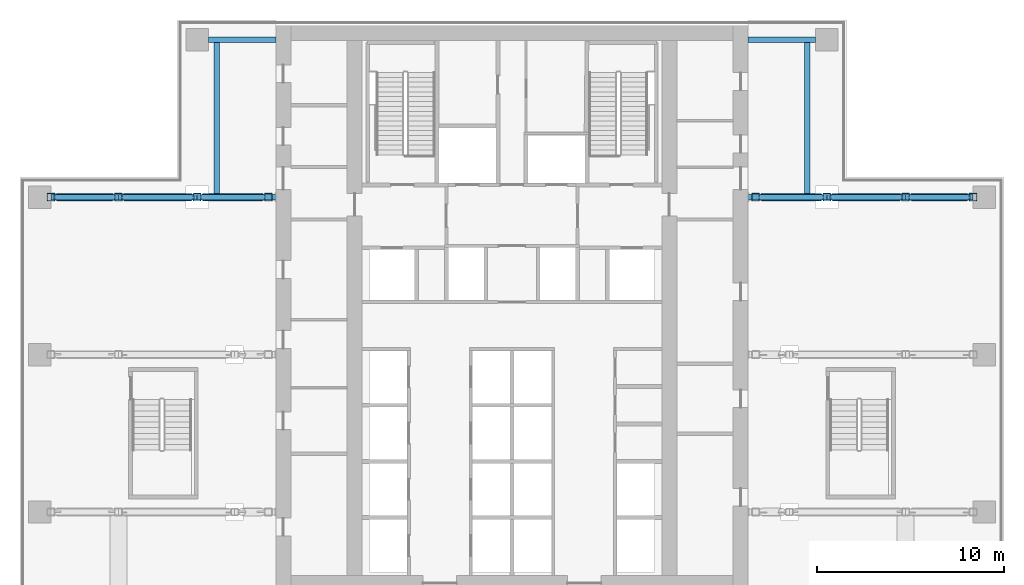
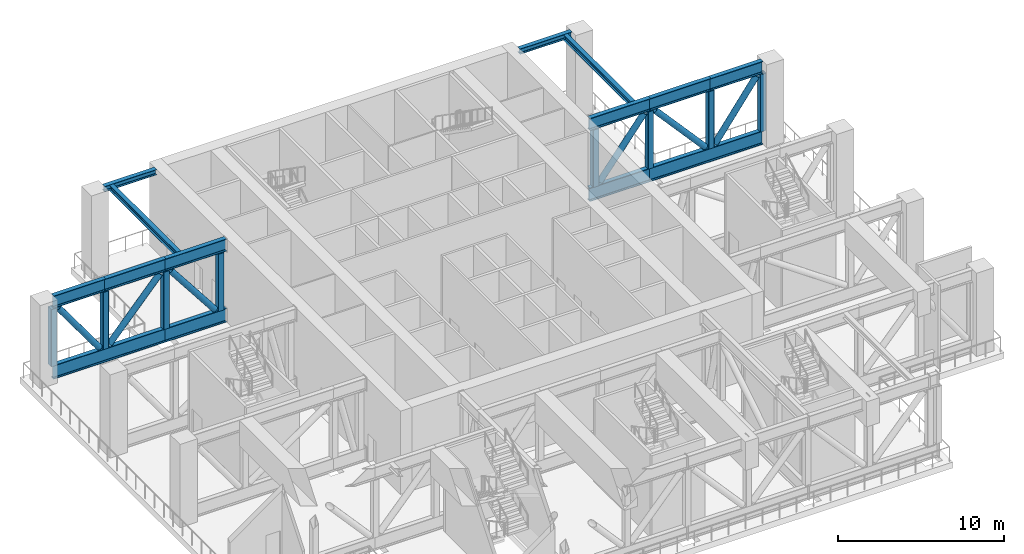
# One storey, part 4 of 23: 24 members, 4 beams.
"""IFC4 building model written with IfcOpenShell, lengths in metres."""

from ifc_helpers import new_model, si_unit, direction, frame, origin, origin_2d, place, context, subcontext, project, spatial, hollow_rectangle, hollow_circle, i_section, extrude, material, material_profile, profile_set, type_object, element, save


model = new_model("IFC4")

# Units and contexts
model_context = context("Model", 3, precision=1e-05, world=origin(), true_north=direction((0.0, 1.0)))
body_context = subcontext(model_context, "Body", "Model", "MODEL_VIEW")
ifc_project = project(units=[si_unit("LENGTHUNIT", "METRE"), si_unit("AREAUNIT", "SQUARE_METRE"), si_unit("VOLUMEUNIT", "CUBIC_METRE"), si_unit("PLANEANGLEUNIT", "RADIAN"), si_unit("MASSUNIT", "GRAM", prefix="KILO")], contexts=[model_context])

# Site, building, storey
site_placement = place(None, origin())
site = spatial("IfcSite", under=ifc_project, at=site_placement, CompositionType="ELEMENT")
building_placement = place(site_placement, origin())
building = spatial("IfcBuilding", under=site, at=building_placement, Name="Vermilion Ogive Tower", CompositionType="ELEMENT")
storey_placement = place(building_placement, frame((0.0, 0.0, 121.800048828125)))
storey = spatial("IfcBuildingStorey", under=building, at=storey_placement, Name="L31", CompositionType="ELEMENT", Elevation=121.800048828125)

# Members
ifc_material_1 = material(Name="Steel S355", Category="steel")
ifc_material_profile_1 = material_profile(ifc_material_1, i_section(OverallWidth=0.300048828125, OverallDepth=1.0, WebThickness=0.01904296875, FlangeThickness=0.035888671875, FilletRadius=0.030029296875, at=origin_2d()), Name="HEB 1000")
ifc_profile_set_1 = profile_set([ifc_material_profile_1], Name="Steel S355")
member_type_1 = type_object("IfcMemberType", Name="Outrigger truss bottom chord HEB 1000", PredefinedType="CHORD", material=ifc_profile_set_1)
member_1_placement = place(storey_placement, frame((12.60009765625, 12.60009765625, 0.5), z_axis=(1.0, 0.0, 0.0), x_axis=(0.0, 1.0, 0.0)))
element("IfcMember", 1, at=member_1_placement, inside=storey, type_object=member_type_1, Name="L31-TR-EWE+12.6-B1", PredefinedType="CHORD", context=body_context, shape_type="SweptSolid", body=[
    extrude(i_section(OverallWidth=0.300048828125, OverallDepth=1.0, WebThickness=0.01904296875, FlangeThickness=0.035888671875, FilletRadius=0.030029296875, at=origin_2d()), origin(), (0.0, 0.0, 1.0), 4.199951171875),
])
member_2_placement = place(storey_placement, frame((16.800048828125, 12.60009765625, 0.5), z_axis=(1.0, 0.0, 0.0), x_axis=(0.0, 1.0, 0.0)))
element("IfcMember", 2, at=member_2_placement, inside=storey, type_object=member_type_1, Name="L31-TR-EWE+12.6-B2", PredefinedType="CHORD", context=body_context, shape_type="SweptSolid", body=[
    extrude(i_section(OverallWidth=0.300048828125, OverallDepth=1.0, WebThickness=0.01904296875, FlangeThickness=0.035888671875, FilletRadius=0.030029296875, at=origin_2d()), origin(), (0.0, 0.0, 1.0), 7.800048828125),
])
member_3_placement = place(storey_placement, frame((-12.60009765625, 12.60009765625, 0.5), z_axis=(-1.0, 0.0, 0.0), x_axis=(0.0, -1.0, 0.0)))
element("IfcMember", 3, at=member_3_placement, inside=storey, type_object=member_type_1, Name="L31-TR-EWW+12.6-B1", PredefinedType="CHORD", context=body_context, shape_type="SweptSolid", body=[
    extrude(i_section(OverallWidth=0.300048828125, OverallDepth=1.0, WebThickness=0.01904296875, FlangeThickness=0.035888671875, FilletRadius=0.030029296875, at=origin_2d()), origin(), (0.0, 0.0, 1.0), 4.199951171875),
])
member_4_placement = place(storey_placement, frame((-16.800048828125, 12.60009765625, 0.5), z_axis=(-1.0, 0.0, 0.0), x_axis=(0.0, -1.0, 0.0)))
element("IfcMember", 4, at=member_4_placement, inside=storey, type_object=member_type_1, Name="L31-TR-EWW+12.6-B2", PredefinedType="CHORD", context=body_context, shape_type="SweptSolid", body=[
    extrude(i_section(OverallWidth=0.300048828125, OverallDepth=1.0, WebThickness=0.01904296875, FlangeThickness=0.035888671875, FilletRadius=0.030029296875, at=origin_2d()), origin(), (0.0, 0.0, 1.0), 7.800048828125),
])
ifc_material_2 = material(Name="Steel S355", Category="steel")
ifc_material_profile_2 = material_profile(ifc_material_2, hollow_circle(Radius=0.203125, WallThickness=0.01611328125, at=origin_2d()), Name="CHS 406.4x16")
ifc_profile_set_2 = profile_set([ifc_material_profile_2], Name="Steel S355")
member_type_2 = type_object("IfcMemberType", Name="Outrigger truss diagonal CHS 406.4x16", PredefinedType="BRACE", material=ifc_profile_set_2)
member_5_placement = place(storey_placement, frame((13.357421875, 12.60009765625, 1.127197265625), z_axis=(0.616007223842, 0.0, 0.787740503069), x_axis=(0.0, 1.0, 0.0)))
element("IfcMember", 5, at=member_5_placement, inside=storey, type_object=member_type_2, Name="L31-TR-EWE+12.6-D0", PredefinedType="BRACE", context=body_context, shape_type="SweptSolid", body=[
    extrude(hollow_circle(Radius=0.203125, WallThickness=0.01611328125, at=origin_2d()), origin(), (0.0, 0.0, 1.0), 5.00830078125),
])
member_6_placement = place(storey_placement, frame((17.150146484375, 12.60009765625, 5.064208984375), z_axis=(0.665190049735, 0.0, -0.746674090707), x_axis=(0.0, 1.0, 0.0)))
element("IfcMember", 6, at=member_6_placement, inside=storey, type_object=member_type_2, Name="L31-TR-EWE+12.6-D1", PredefinedType="BRACE", context=body_context, shape_type="SweptSolid", body=[
    extrude(hollow_circle(Radius=0.203125, WallThickness=0.01611328125, at=origin_2d()), origin(), (0.0, 0.0, 1.0), 5.26123046875),
])
member_7_placement = place(storey_placement, frame((21.361083984375, 12.60009765625, 1.12255859375), z_axis=(0.588364601079, 0.0, 0.808595755738), x_axis=(0.0, 1.0, 0.0)))
element("IfcMember", 7, at=member_7_placement, inside=storey, type_object=member_type_2, Name="L31-TR-EWE+12.6-D2", PredefinedType="BRACE", context=body_context, shape_type="SweptSolid", body=[
    extrude(hollow_circle(Radius=0.203125, WallThickness=0.01611328125, at=origin_2d()), origin(), (0.0, 0.0, 1.0), 4.890869140625),
])
member_8_placement = place(storey_placement, frame((-13.357421875, 12.60009765625, 1.127197265625), z_axis=(-0.616007223842, 0.0, 0.787740503069), x_axis=(0.0, -1.0, 0.0)))
element("IfcMember", 8, at=member_8_placement, inside=storey, type_object=member_type_2, Name="L31-TR-EWW+12.6-D0", PredefinedType="BRACE", context=body_context, shape_type="SweptSolid", body=[
    extrude(hollow_circle(Radius=0.203125, WallThickness=0.01611328125, at=origin_2d()), origin(), (0.0, 0.0, 1.0), 5.00830078125),
])
member_9_placement = place(storey_placement, frame((-17.150146484375, 12.60009765625, 5.064208984375), z_axis=(-0.665190049735, 0.0, -0.746674090707), x_axis=(0.0, -1.0, 0.0)))
element("IfcMember", 9, at=member_9_placement, inside=storey, type_object=member_type_2, Name="L31-TR-EWW+12.6-D1", PredefinedType="BRACE", context=body_context, shape_type="SweptSolid", body=[
    extrude(hollow_circle(Radius=0.203125, WallThickness=0.01611328125, at=origin_2d()), origin(), (0.0, 0.0, 1.0), 5.26123046875),
])
member_10_placement = place(storey_placement, frame((-21.361083984375, 12.60009765625, 1.12255859375), z_axis=(-0.588364601079, 0.0, 0.808595755738), x_axis=(0.0, -1.0, 0.0)))
element("IfcMember", 10, at=member_10_placement, inside=storey, type_object=member_type_2, Name="L31-TR-EWW+12.6-D2", PredefinedType="BRACE", context=body_context, shape_type="SweptSolid", body=[
    extrude(hollow_circle(Radius=0.203125, WallThickness=0.01611328125, at=origin_2d()), origin(), (0.0, 0.0, 1.0), 4.890869140625),
])
ifc_material_3 = material(Name="Steel S355", Category="steel")
ifc_material_profile_3 = material_profile(ifc_material_3, hollow_rectangle(XDim=0.39990234375, YDim=0.39990234375, WallThickness=0.01611328125, InnerFilletRadius=0.01611328125, OuterFilletRadius=0.02392578125, at=origin_2d()), Name="RHS 400x400x16")
ifc_profile_set_3 = profile_set([ifc_material_profile_3], Name="Steel S355")
member_type_3 = type_object("IfcMemberType", Name="Outrigger truss post RHS 400x400x16", PredefinedType="POST", material=ifc_profile_set_3)
for number, where, z_axis, x_axis, name in (
    (11, (13.0, 12.60009765625, 1.0), (0.0, 0.0, 1.0), (1.0, 0.0, 0.0), "L31-TR-EWE+12.6-P0"),
    (12, (16.800048828125, 12.60009765625, 1.0), (0.0, 0.0, 1.0), (1.0, 0.0, 0.0), "L31-TR-EWE+12.6-P1"),
    (13, (21.0, 12.60009765625, 1.0), (0.0, 0.0, 1.0), (1.0, 0.0, 0.0), "L31-TR-EWE+12.6-P2"),
    (14, (24.60009765625, 12.60009765625, 1.0), (0.0, 0.0, 1.0), (1.0, 0.0, 0.0), "L31-TR-EWE+12.6-P3"),
    (15, (-13.0, 12.60009765625, 1.0), (0.0, 0.0, 1.0), (1.0, 0.0, 0.0), "L31-TR-EWW+12.6-P0"),
    (16, (-16.800048828125, 12.60009765625, 1.0), (0.0, 0.0, 1.0), (1.0, 0.0, 0.0), "L31-TR-EWW+12.6-P1"),
    (17, (-21.0, 12.60009765625, 1.0), (0.0, 0.0, 1.0), (1.0, 0.0, 0.0), "L31-TR-EWW+12.6-P2"),
    (18, (-24.60009765625, 12.60009765625, 1.0), (0.0, 0.0, 1.0), (1.0, 0.0, 0.0), "L31-TR-EWW+12.6-P3"),
):
    element("IfcMember", number, at=place(storey_placement, frame(where, z_axis=z_axis, x_axis=x_axis)), inside=storey, type_object=member_type_3, Name=name, PredefinedType="POST", context=body_context, shape_type="SweptSolid", body=[
        extrude(hollow_rectangle(XDim=0.39990234375, YDim=0.39990234375, WallThickness=0.01611328125, InnerFilletRadius=0.01611328125, OuterFilletRadius=0.02392578125, at=origin_2d()), origin(), (0.0, 0.0, 1.0), 4.199951171875),
    ])
ifc_material_4 = material(Name="Steel S355", Category="steel")
ifc_material_profile_4 = material_profile(ifc_material_4, i_section(OverallWidth=0.300048828125, OverallDepth=0.89990234375, WebThickness=0.0185546875, FlangeThickness=0.034912109375, FilletRadius=0.030029296875, at=origin_2d()), Name="HEB 900")
ifc_profile_set_4 = profile_set([ifc_material_profile_4], Name="Steel S355")
member_type_4 = type_object("IfcMemberType", Name="Outrigger truss top chord HEB 900", PredefinedType="CHORD", material=ifc_profile_set_4)
for number, where, z_axis, x_axis, name in (
    (19, (12.60009765625, 12.60009765625, 5.64990234375), (1.0, 0.0, 0.0), (0.0, 1.0, 0.0), "L31-TR-EWE+12.6-T3"),
    (20, (16.800048828125, 12.60009765625, 5.64990234375), (1.0, 0.0, 0.0), (0.0, 1.0, 0.0), "L31-TR-EWE+12.6-T4"),
):
    element("IfcMember", number, at=place(storey_placement, frame(where, z_axis=z_axis, x_axis=x_axis)), inside=storey, type_object=member_type_4, Name=name, PredefinedType="CHORD", context=body_context, shape_type="SweptSolid", body=[
        extrude(i_section(OverallWidth=0.300048828125, OverallDepth=0.89990234375, WebThickness=0.0185546875, FlangeThickness=0.034912109375, FilletRadius=0.030029296875, at=origin_2d()), origin(), (0.0, 0.0, 1.0), 4.199951171875),
    ])
member_11_placement = place(storey_placement, frame((21.0, 12.60009765625, 5.64990234375), z_axis=(1.0, 0.0, 0.0), x_axis=(0.0, 1.0, 0.0)))
element("IfcMember", 21, at=member_11_placement, inside=storey, type_object=member_type_4, Name="L31-TR-EWE+12.6-T5", PredefinedType="CHORD", context=body_context, shape_type="SweptSolid", body=[
    extrude(i_section(OverallWidth=0.300048828125, OverallDepth=0.89990234375, WebThickness=0.0185546875, FlangeThickness=0.034912109375, FilletRadius=0.030029296875, at=origin_2d()), origin(), (0.0, 0.0, 1.0), 3.60009765625),
])
for number, where, z_axis, x_axis, name in (
    (22, (-12.60009765625, 12.60009765625, 5.64990234375), (-1.0, 0.0, 0.0), (0.0, -1.0, 0.0), "L31-TR-EWW+12.6-T3"),
    (23, (-16.800048828125, 12.60009765625, 5.64990234375), (-1.0, 0.0, 0.0), (0.0, -1.0, 0.0), "L31-TR-EWW+12.6-T4"),
):
    element("IfcMember", number, at=place(storey_placement, frame(where, z_axis=z_axis, x_axis=x_axis)), inside=storey, type_object=member_type_4, Name=name, PredefinedType="CHORD", context=body_context, shape_type="SweptSolid", body=[
        extrude(i_section(OverallWidth=0.300048828125, OverallDepth=0.89990234375, WebThickness=0.0185546875, FlangeThickness=0.034912109375, FilletRadius=0.030029296875, at=origin_2d()), origin(), (0.0, 0.0, 1.0), 4.199951171875),
    ])
member_12_placement = place(storey_placement, frame((-21.0, 12.60009765625, 5.64990234375), z_axis=(-1.0, 0.0, 0.0), x_axis=(0.0, -1.0, 0.0)))
element("IfcMember", 24, at=member_12_placement, inside=storey, type_object=member_type_4, Name="L31-TR-EWW+12.6-T5", PredefinedType="CHORD", context=body_context, shape_type="SweptSolid", body=[
    extrude(i_section(OverallWidth=0.300048828125, OverallDepth=0.89990234375, WebThickness=0.0185546875, FlangeThickness=0.034912109375, FilletRadius=0.030029296875, at=origin_2d()), origin(), (0.0, 0.0, 1.0), 3.60009765625),
])

# Beams
ifc_material_5 = material(Name="Steel S355", Category="steel")
ifc_material_profile_5 = material_profile(ifc_material_5, i_section(OverallWidth=0.300048828125, OverallDepth=0.39990234375, WebThickness=0.013427734375, FlangeThickness=0.02392578125, FilletRadius=0.027099609375, at=origin_2d()), Name="HEB 400")
ifc_profile_set_5 = profile_set([ifc_material_profile_5], Name="Steel S355")
beam_type = type_object("IfcBeamType", Name="Terrace beam HEB 400", PredefinedType="BEAM", material=ifc_profile_set_5)
beam_1_placement = place(storey_placement, frame((-12.60009765625, 21.0, 5.89990234375), z_axis=(-1.0, 0.0, 0.0), x_axis=(0.0, -1.0, 0.0)))
element("IfcBeam", 25, at=beam_1_placement, inside=storey, type_object=beam_type, Name="L31-TB-2", PredefinedType="BEAM", context=body_context, shape_type="SweptSolid", body=[
    extrude(i_section(OverallWidth=0.300048828125, OverallDepth=0.39990234375, WebThickness=0.013427734375, FlangeThickness=0.02392578125, FilletRadius=0.027099609375, at=origin_2d()), origin(), (0.0, 0.0, 1.0), 3.599853515625),
])
beam_2_placement = place(storey_placement, frame((-15.75, 12.75, 5.89990234375), z_axis=(0.0, 1.0, 0.0), x_axis=(-1.0, 0.0, 0.0)))
element("IfcBeam", 26, at=beam_2_placement, inside=storey, type_object=beam_type, Name="L31-TB-3", PredefinedType="BEAM", context=body_context, shape_type="SweptSolid", body=[
    extrude(i_section(OverallWidth=0.300048828125, OverallDepth=0.39990234375, WebThickness=0.013427734375, FlangeThickness=0.02392578125, FilletRadius=0.027099609375, at=origin_2d()), origin(), (0.0, 0.0, 1.0), 8.10009765625),
])
beam_3_placement = place(storey_placement, frame((12.60009765625, 21.0, 5.89990234375), z_axis=(1.0, 0.0, 0.0), x_axis=(0.0, 1.0, 0.0)))
element("IfcBeam", 27, at=beam_3_placement, inside=storey, type_object=beam_type, Name="L31-TB-4", PredefinedType="BEAM", context=body_context, shape_type="SweptSolid", body=[
    extrude(i_section(OverallWidth=0.300048828125, OverallDepth=0.39990234375, WebThickness=0.013427734375, FlangeThickness=0.02392578125, FilletRadius=0.027099609375, at=origin_2d()), origin(), (0.0, 0.0, 1.0), 3.599853515625),
])
beam_4_placement = place(storey_placement, frame((15.75, 12.75, 5.89990234375), z_axis=(0.0, 1.0, 0.0), x_axis=(-1.0, 0.0, 0.0)))
element("IfcBeam", 28, at=beam_4_placement, inside=storey, type_object=beam_type, Name="L31-TB-5", PredefinedType="BEAM", context=body_context, shape_type="SweptSolid", body=[
    extrude(i_section(OverallWidth=0.300048828125, OverallDepth=0.39990234375, WebThickness=0.013427734375, FlangeThickness=0.02392578125, FilletRadius=0.027099609375, at=origin_2d()), origin(), (0.0, 0.0, 1.0), 8.10009765625),
])

save(model, "model.ifc")
